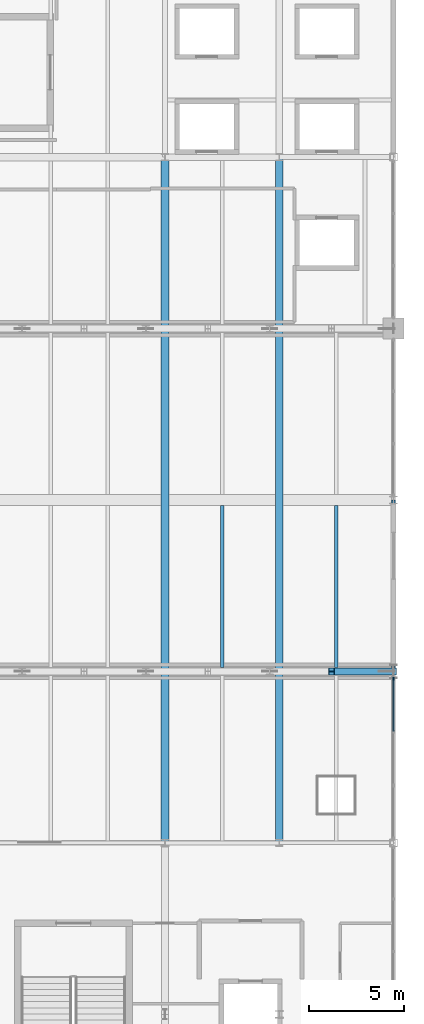
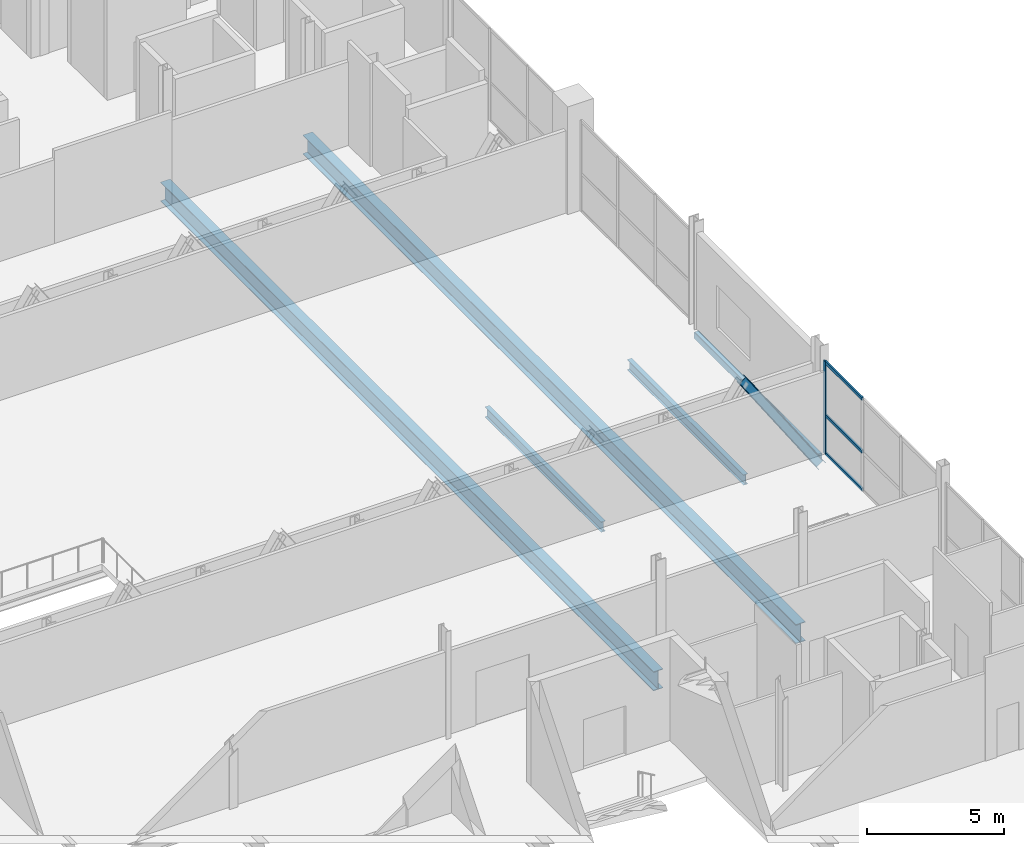
# One storey, part 140 of 224: 5 beams, 5 members, 1 element without a shape of its own.
"""IFC4 building model written with IfcOpenShell, lengths in metres."""

from ifc_helpers import new_model, si_unit, direction, frame, origin, origin_2d, place, context, subcontext, project, spatial, rectangle, hollow_rectangle, i_section, extrude, material, layer, layer_set, material_profile, profile_set, type_object, element, aggregate, save


model = new_model("IFC4")

# Units and contexts
model_context = context("Model", 3, precision=1e-05, world=origin(), true_north=direction((0.0, 1.0)))
body_context = subcontext(model_context, "Body", "Model", "MODEL_VIEW")
ifc_project = project(units=[si_unit("LENGTHUNIT", "METRE"), si_unit("AREAUNIT", "SQUARE_METRE"), si_unit("VOLUMEUNIT", "CUBIC_METRE"), si_unit("PLANEANGLEUNIT", "RADIAN"), si_unit("MASSUNIT", "GRAM", prefix="KILO")], contexts=[model_context])

# Site, building, storey
site_placement = place(None, origin())
site = spatial("IfcSite", under=ifc_project, at=site_placement, CompositionType="ELEMENT")
building_placement = place(site_placement, origin())
building = spatial("IfcBuilding", under=site, at=building_placement, Name="Qamarlyn Nura Convention Centre", CompositionType="ELEMENT")
storey_placement = place(building_placement, frame((0.0, 0.0, 10.800048828125)))
storey = spatial("IfcBuildingStorey", under=building, at=storey_placement, Name="L02", CompositionType="ELEMENT", Elevation=10.800048828125)

# Beams
ifc_material_1 = material(Name="Steel ASTM A992", Category="steel")
ifc_material_profile_1 = material_profile(ifc_material_1, i_section(OverallWidth=0.39990234375, OverallDepth=0.85498046875, WebThickness=0.018310546875, FlangeThickness=0.029296875, FilletRadius=0.02197265625, at=origin_2d()), Name="W840X299")
ifc_profile_set_1 = profile_set([ifc_material_profile_1], Name="Steel ASTM A992")
beam_type_1 = type_object("IfcBeamType", Name="BM-GIRD-840", PredefinedType="BEAM", material=ifc_profile_set_1)
for number, where, z_axis, x_axis, name in (
    (1, (180.0, 18.0, -0.6875), (0.0, 1.0, 0.0), (-1.0, 0.0, 0.0), "L02 girder 16 C-G"),
    (2, (186.0, 18.0, -0.6875), (0.0, 1.0, 0.0), (-1.0, 0.0, 0.0), "L02 girder 17 C-G"),
):
    element("IfcBeam", number, at=place(storey_placement, frame(where, z_axis=z_axis, x_axis=x_axis)), inside=storey, type_object=beam_type_1, Name=name, PredefinedType="BEAM", context=body_context, shape_type="SweptSolid", body=[
        extrude(i_section(OverallWidth=0.39990234375, OverallDepth=0.85498046875, WebThickness=0.018310546875, FlangeThickness=0.029296875, FilletRadius=0.02197265625, at=origin_2d()), origin(), (0.0, 0.0, 1.0), 36.0),
    ])
ifc_material_profile_2 = material_profile(ifc_material_1, i_section(OverallWidth=0.18994140625, OverallDepth=0.45703125, WebThickness=0.009033203125, FlangeThickness=0.014404296875, FilletRadius=0.012939453125, at=origin_2d()), Name="W460X74")
ifc_profile_set_2 = profile_set([ifc_material_profile_2], Name="Steel ASTM A992")
beam_type_2 = type_object("IfcBeamType", Name="BM-JOIST-460", PredefinedType="JOIST", material=ifc_profile_set_2)
for number, where, z_axis, x_axis, name in (
    (3, (183.0, 27.208984375, -0.488525390625), (0.0, 1.0, 0.0), (-1.0, 0.0, 0.0), "L02 secondary joist 16-17/D-E-34"),
    (4, (189.0, 27.208984375, -0.488525390625), (0.0, 1.0, 0.0), (-1.0, 0.0, 0.0), "L02 secondary joist 17-18/D-E-38"),
):
    element("IfcBeam", number, at=place(storey_placement, frame(where, z_axis=z_axis, x_axis=x_axis)), inside=storey, type_object=beam_type_2, Name=name, PredefinedType="JOIST", context=body_context, shape_type="SweptSolid", body=[
        extrude(i_section(OverallWidth=0.18994140625, OverallDepth=0.45703125, WebThickness=0.009033203125, FlangeThickness=0.014404296875, FilletRadius=0.012939453125, at=origin_2d()), origin(), (0.0, 0.0, 1.0), 8.490966796875),
    ])
ifc_material_2 = material(Name="Steel ASTM A500 Grade C", Category="steel")
ifc_material_profile_3 = material_profile(ifc_material_2, hollow_rectangle(XDim=0.199951171875, YDim=0.300048828125, WallThickness=0.012451171875, InnerFilletRadius=0.012451171875, OuterFilletRadius=0.02490234375, at=origin_2d()), Name="HSS300X200X12.5")
ifc_profile_set_3 = profile_set([ifc_material_profile_3], Name="Steel ASTM A500 Grade C")
beam_type_3 = type_object("IfcBeamType", Name="BM-SPAN-HSS", PredefinedType="SPANDREL", material=ifc_profile_set_3)
beam_placement = place(storey_placement, frame((192.0, 27.0, -0.41015625), z_axis=(0.0, 1.0, 0.0), x_axis=(-1.0, 0.0, 0.0)))
element("IfcBeam", 5, at=beam_placement, inside=storey, type_object=beam_type_3, Name="L02 girder 18 D-E", PredefinedType="SPANDREL", context=body_context, shape_type="SweptSolid", body=[
    extrude(hollow_rectangle(XDim=0.199951171875, YDim=0.300048828125, WallThickness=0.012451171875, InnerFilletRadius=0.012451171875, OuterFilletRadius=0.02490234375, at=origin_2d()), origin(), (0.0, 0.0, 1.0), 9.0),
])

# Curtain wall, members
ifc_material_3 = material(Name="Double-silver low-E insulated glass", Category="glass")
ifc_layer = layer(ifc_material_3, 0.179931640625, Name="CW-UNIT-93")
ifc_layer_set = layer_set([ifc_layer], Name="Double-silver low-E insulated glass")
curtain_wall_type = type_object("IfcCurtainWallType", Name="CW-UNIT-93", PredefinedType="NOTDEFINED", material=ifc_layer_set)
curtain_wall_placement = place(storey_placement, origin())
curtain_wall = element("IfcCurtainWall", 6, at=curtain_wall_placement, inside=storey, type_object=curtain_wall_type, Name="L02 unitised curtain wall EAST-3-1", PredefinedType="NOTDEFINED")
ifc_material_4 = material(Name="Champagne-anodised marine aluminium", Category="aluminium")
ifc_material_profile_4 = material_profile(ifc_material_4, rectangle(XDim=0.070068359375, YDim=0.179931640625, at=origin_2d()), Name="ALU MULLION 70x180")
ifc_profile_set_4 = profile_set([ifc_material_profile_4], Name="Champagne-anodised marine aluminium")
member_type_1 = type_object("IfcMemberType", Name="CWM-180", PredefinedType="MULLION", material=ifc_profile_set_4)
member_1_placement = place(storey_placement, frame((192.0, 26.617431640625, 0.0), z_axis=(0.0, 0.0, 1.0), x_axis=(1.0, 0.0, 0.0)))
member_1 = element("IfcMember", 7, at=member_1_placement, type_object=member_type_1, Name="CW93 mullion 1", PredefinedType="MULLION", context=body_context, shape_type="SweptSolid", body=[
    extrude(rectangle(XDim=0.070068359375, YDim=0.179931640625, at=origin_2d()), origin(), (0.0, 0.0, 1.0), 4.118896484375),
])
ifc_material_profile_5 = material_profile(ifc_material_4, rectangle(XDim=0.070068359375, YDim=0.139892578125, at=origin_2d()), Name="ALU TRANSOM 70x140")
ifc_profile_set_5 = profile_set([ifc_material_profile_5], Name="Champagne-anodised marine aluminium")
member_type_2 = type_object("IfcMemberType", Name="CWT-140", PredefinedType="USERDEFINED", material=ifc_profile_set_5)
member_2_placement = place(storey_placement, frame((192.0, 26.58251953125, 0.034912109375), z_axis=(0.0, -1.0, 0.0), x_axis=(1.0, 0.0, 0.0)))
member_2 = element("IfcMember", 8, at=member_2_placement, type_object=member_type_2, Name="CW93 transom 1.1", ObjectType="TRANSOM", PredefinedType="USERDEFINED", context=body_context, shape_type="SweptSolid", body=[
    extrude(rectangle(XDim=0.070068359375, YDim=0.139892578125, at=origin_2d()), origin(), (0.0, 0.0, 1.0), 2.71240234375),
])
member_3_placement = place(storey_placement, frame((192.0, 26.58251953125, 1.72998046875), z_axis=(0.0, -1.0, 0.0), x_axis=(1.0, 0.0, 0.0)))
member_3 = element("IfcMember", 9, at=member_3_placement, type_object=member_type_2, Name="CW93 transom 1.2", ObjectType="TRANSOM", PredefinedType="USERDEFINED", context=body_context, shape_type="SweptSolid", body=[
    extrude(rectangle(XDim=0.070068359375, YDim=0.139892578125, at=origin_2d()), origin(), (0.0, 0.0, 1.0), 2.71240234375),
])
member_4_placement = place(storey_placement, frame((192.0, 26.58251953125, 4.083984375), z_axis=(0.0, -1.0, 0.0), x_axis=(1.0, 0.0, 0.0)))
member_4 = element("IfcMember", 10, at=member_4_placement, type_object=member_type_2, Name="CW93 transom 1.3", ObjectType="TRANSOM", PredefinedType="USERDEFINED", context=body_context, shape_type="SweptSolid", body=[
    extrude(rectangle(XDim=0.070068359375, YDim=0.139892578125, at=origin_2d()), origin(), (0.0, 0.0, 1.0), 2.71240234375),
])
aggregate(curtain_wall, [member_1, member_2, member_3, member_4])

# Member
ifc_material_profile_6 = material_profile(ifc_material_1, i_section(OverallWidth=0.3740234375, OverallDepth=0.3720703125, WebThickness=0.016357421875, FlangeThickness=0.026123046875, FilletRadius=0.01611328125, at=origin_2d()), Name="W360X196")
ifc_profile_set_6 = profile_set([ifc_material_profile_6], Name="Steel ASTM A992")
member_type_3 = type_object("IfcMemberType", Name="TT-DIAG-01", PredefinedType="BRACE", material=ifc_profile_set_6)
member_5_placement = place(storey_placement, frame((188.75, 27.0, 4.14404296875), z_axis=(0.555875275564, 0.0, -0.831265708433), x_axis=(0.0, 1.0, 0.0)))
element("IfcMember", 11, at=member_5_placement, inside=storey, type_object=member_type_3, Name="Warren transfer structure diagonal D-6B", PredefinedType="BRACE", context=body_context, shape_type="SweptSolid", body=[
    extrude(i_section(OverallWidth=0.3740234375, OverallDepth=0.3720703125, WebThickness=0.016357421875, FlangeThickness=0.026123046875, FilletRadius=0.01611328125, at=origin_2d()), origin(), (0.0, 0.0, 1.0), 5.8466796875),
])

save(model, "model.ifc")
